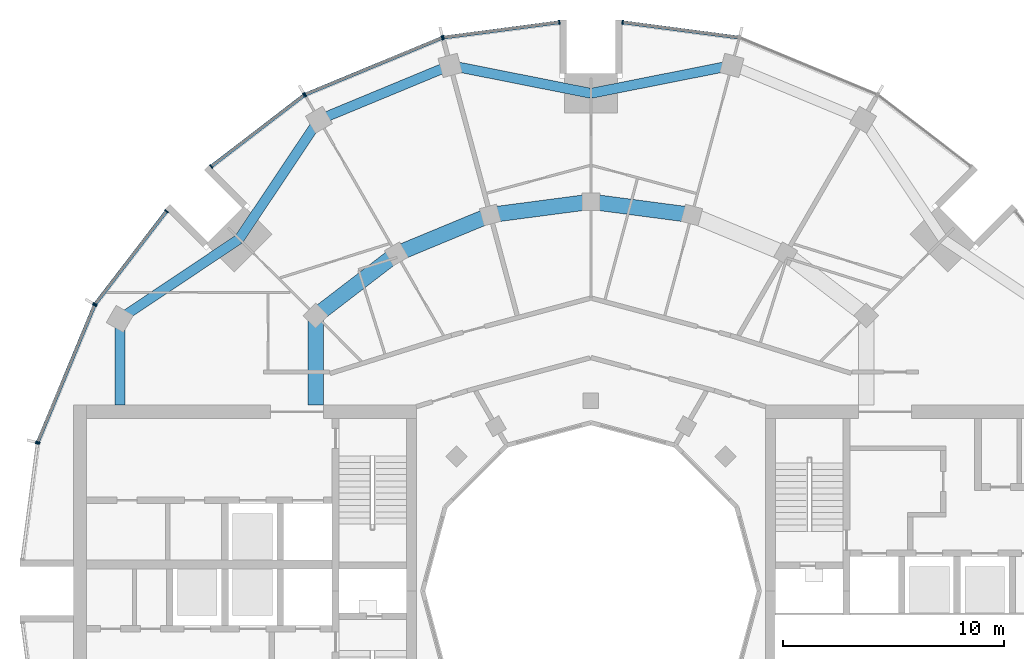
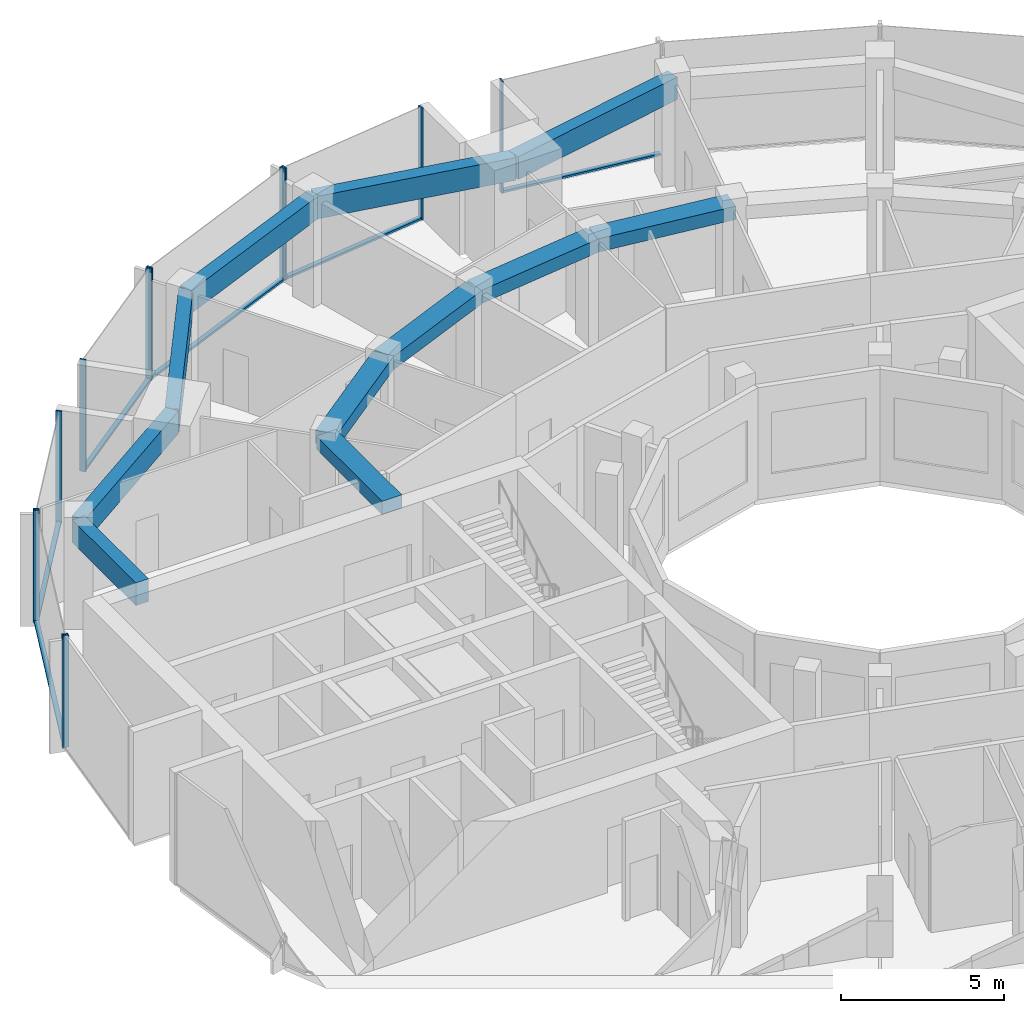
# One storey, part 5 of 15: 18 members, 11 beams, 7 elements without a shape of their own.
"""IFC4 building model written with IfcOpenShell, lengths in metres."""

from ifc_helpers import new_model, si_unit, direction, frame, origin, origin_2d, place, context, subcontext, project, spatial, rectangle, extrude, material, layer, layer_set, material_profile, profile_set, type_object, element, aggregate, save


model = new_model("IFC4")

# Units and contexts
model_context = context("Model", 3, precision=1e-05, world=origin(), true_north=direction((0.0, 1.0)))
body_context = subcontext(model_context, "Body", "Model", "MODEL_VIEW")
ifc_project = project(units=[si_unit("LENGTHUNIT", "METRE"), si_unit("AREAUNIT", "SQUARE_METRE"), si_unit("VOLUMEUNIT", "CUBIC_METRE"), si_unit("PLANEANGLEUNIT", "RADIAN"), si_unit("MASSUNIT", "GRAM", prefix="KILO")], contexts=[model_context])

# Site, building, storey
site_placement = place(None, origin())
site = spatial("IfcSite", under=ifc_project, at=site_placement, CompositionType="ELEMENT")
building_placement = place(site_placement, origin())
building = spatial("IfcBuilding", under=site, at=building_placement, Name="Torre Brocal", CompositionType="ELEMENT")
storey_placement = place(building_placement, frame((0.0, 0.0, 254.10009765625)))
storey = spatial("IfcBuildingStorey", under=building, at=storey_placement, Name="L58", CompositionType="ELEMENT", Elevation=254.10009765625)

# Curtain wall, member
ifc_material_1 = material(Name="Aluminium and glass", Category="aluminium")
ifc_layer_1 = layer(ifc_material_1, 0.199951171875)
ifc_layer_set_1 = layer_set([ifc_layer_1], Name="Aluminium and glass")
curtain_wall_type_1 = type_object("IfcCurtainWallType", Name="CW-1 CURTAIN WALL 4200 HIGH", PredefinedType="NOTDEFINED", material=ifc_layer_set_1)
curtain_wall_1_placement = place(storey_placement, origin())
curtain_wall_1 = element("IfcCurtainWall", 1, at=curtain_wall_1_placement, inside=storey, type_object=curtain_wall_type_1, Name="CW-1 RUN 6", PredefinedType="NOTDEFINED")
ifc_material_2 = material(Name="Aluminium, dark anodised", Category="aluminium")
ifc_material_profile_1 = material_profile(ifc_material_2, rectangle(XDim=0.199951171875, YDim=0.06005859375, at=origin_2d()), Name="CW-1 MULLION 60X200")
ifc_profile_set_1 = profile_set([ifc_material_profile_1], Name="Aluminium, dark anodised")
member_type_1 = type_object("IfcMemberType", Name="CW-1 MULLION 60X200", PredefinedType="MULLION", material=ifc_profile_set_1)
member_1_placement = place(storey_placement, frame((81.4296875, 100.7109375, 0.0), z_axis=(0.0, 0.0, 1.0), x_axis=(-0.13052619222, -0.991444861374, 0.0)))
member_1 = element("IfcMember", 2, at=member_1_placement, type_object=member_type_1, Name="CW1-5 mullion 2", PredefinedType="MULLION", context=body_context, shape_type="SweptSolid", body=[
    extrude(rectangle(XDim=0.199951171875, YDim=0.06005859375, at=origin_2d()), origin(), (0.0, 0.0, 1.0), 4.199951171875),
])

# Curtain wall, members
curtain_wall_2_placement = place(storey_placement, origin())
curtain_wall_2 = element("IfcCurtainWall", 3, at=curtain_wall_2_placement, inside=storey, type_object=curtain_wall_type_1, Name="CW-1 RUN 7", PredefinedType="NOTDEFINED")
member_2_placement = place(storey_placement, frame((78.5703125, 100.7109375, 0.0), z_axis=(0.0, 0.0, 1.0), x_axis=(0.13052619222, -0.991444861374, 0.0)))
member_2 = element("IfcMember", 4, at=member_2_placement, type_object=member_type_1, Name="CW1-5 mullion 1", PredefinedType="MULLION", context=body_context, shape_type="SweptSolid", body=[
    extrude(rectangle(XDim=0.199951171875, YDim=0.06005859375, at=origin_2d()), origin(), (0.0, 0.0, 1.0), 4.199951171875),
])
member_3_placement = place(storey_placement, frame((73.32666015625, 100.0205078125, 0.0), z_axis=(0.0, 0.0, 1.0), x_axis=(0.13052619222, -0.991444861374, 0.0)))
member_3 = element("IfcMember", 5, at=member_3_placement, type_object=member_type_1, Name="CW1-5 mullion 2", PredefinedType="MULLION", context=body_context, shape_type="SweptSolid", body=[
    extrude(rectangle(XDim=0.199951171875, YDim=0.06005859375, at=origin_2d()), origin(), (0.0, 0.0, 1.0), 4.199951171875),
])

curtain_wall_3_placement = place(storey_placement, origin())
curtain_wall_3 = element("IfcCurtainWall", 6, at=curtain_wall_3_placement, inside=storey, type_object=curtain_wall_type_1, Name="CW-1 RUN 8", PredefinedType="NOTDEFINED")
member_4_placement = place(storey_placement, frame((73.26904296875, 100.005126953125, 0.0), z_axis=(0.0, 0.0, 1.0), x_axis=(0.382683432333, -0.923879532525, 0.0)))
member_4 = element("IfcMember", 7, at=member_4_placement, type_object=member_type_1, Name="CW1-5 mullion 1", PredefinedType="MULLION", context=body_context, shape_type="SweptSolid", body=[
    extrude(rectangle(XDim=0.199951171875, YDim=0.06005859375, at=origin_2d()), origin(), (0.0, 0.0, 1.0), 4.199951171875),
])
member_5_placement = place(storey_placement, frame((67.078125, 97.440673828125, 0.0), z_axis=(0.0, 0.0, 1.0), x_axis=(0.382683432333, -0.923879532525, 0.0)))
member_5 = element("IfcMember", 8, at=member_5_placement, type_object=member_type_1, Name="CW1-5 mullion 2", PredefinedType="MULLION", context=body_context, shape_type="SweptSolid", body=[
    extrude(rectangle(XDim=0.199951171875, YDim=0.06005859375, at=origin_2d()), origin(), (0.0, 0.0, 1.0), 4.199951171875),
])

curtain_wall_4_placement = place(storey_placement, origin())
curtain_wall_4 = element("IfcCurtainWall", 9, at=curtain_wall_4_placement, inside=storey, type_object=curtain_wall_type_1, Name="CW-1 RUN 9", PredefinedType="NOTDEFINED")
member_6_placement = place(storey_placement, frame((67.026611328125, 97.4111328125, 0.0), z_axis=(0.0, 0.0, 1.0), x_axis=(0.60876142905, -0.793353340259, 0.0)))
member_6 = element("IfcMember", 10, at=member_6_placement, type_object=member_type_1, Name="CW1-5 mullion 1", PredefinedType="MULLION", context=body_context, shape_type="SweptSolid", body=[
    extrude(rectangle(XDim=0.199951171875, YDim=0.06005859375, at=origin_2d()), origin(), (0.0, 0.0, 1.0), 4.199951171875),
])
member_7_placement = place(storey_placement, frame((62.83056640625, 94.19140625, 0.0), z_axis=(0.0, 0.0, 1.0), x_axis=(0.60876142905, -0.793353340259, 0.0)))
member_7 = element("IfcMember", 11, at=member_7_placement, type_object=member_type_1, Name="CW1-5 mullion 2", PredefinedType="MULLION", context=body_context, shape_type="SweptSolid", body=[
    extrude(rectangle(XDim=0.199951171875, YDim=0.06005859375, at=origin_2d()), origin(), (0.0, 0.0, 1.0), 4.199951171875),
])

curtain_wall_5_placement = place(storey_placement, origin())
curtain_wall_5 = element("IfcCurtainWall", 12, at=curtain_wall_5_placement, inside=storey, type_object=curtain_wall_type_1, Name="CW-1 RUN 10", PredefinedType="NOTDEFINED")
member_8_placement = place(storey_placement, frame((60.80859375, 92.16943359375, 0.0), z_axis=(0.0, 0.0, 1.0), x_axis=(0.793353340259, -0.60876142905, 0.0)))
member_8 = element("IfcMember", 13, at=member_8_placement, type_object=member_type_1, Name="CW1-5 mullion 1", PredefinedType="MULLION", context=body_context, shape_type="SweptSolid", body=[
    extrude(rectangle(XDim=0.199951171875, YDim=0.06005859375, at=origin_2d()), origin(), (0.0, 0.0, 1.0), 4.199951171875),
])
member_9_placement = place(storey_placement, frame((57.5888671875, 87.973388671875, 0.0), z_axis=(0.0, 0.0, 1.0), x_axis=(0.793353340259, -0.60876142905, 0.0)))
member_9 = element("IfcMember", 14, at=member_9_placement, type_object=member_type_1, Name="CW1-5 mullion 2", PredefinedType="MULLION", context=body_context, shape_type="SweptSolid", body=[
    extrude(rectangle(XDim=0.199951171875, YDim=0.06005859375, at=origin_2d()), origin(), (0.0, 0.0, 1.0), 4.199951171875),
])

curtain_wall_6_placement = place(storey_placement, origin())
curtain_wall_6 = element("IfcCurtainWall", 15, at=curtain_wall_6_placement, inside=storey, type_object=curtain_wall_type_1, Name="CW-1 RUN 11", PredefinedType="NOTDEFINED")
member_10_placement = place(storey_placement, frame((57.559326171875, 87.921875, 0.0), z_axis=(0.0, 0.0, 1.0), x_axis=(0.923879532525, -0.382683432333, 0.0)))
member_10 = element("IfcMember", 16, at=member_10_placement, type_object=member_type_1, Name="CW1-5 mullion 1", PredefinedType="MULLION", context=body_context, shape_type="SweptSolid", body=[
    extrude(rectangle(XDim=0.199951171875, YDim=0.06005859375, at=origin_2d()), origin(), (0.0, 0.0, 1.0), 4.199951171875),
])
member_11_placement = place(storey_placement, frame((54.994873046875, 81.73095703125, 0.0), z_axis=(0.0, 0.0, 1.0), x_axis=(0.923879532525, -0.382683432333, 0.0)))
member_11 = element("IfcMember", 17, at=member_11_placement, type_object=member_type_1, Name="CW1-5 mullion 2", PredefinedType="MULLION", context=body_context, shape_type="SweptSolid", body=[
    extrude(rectangle(XDim=0.199951171875, YDim=0.06005859375, at=origin_2d()), origin(), (0.0, 0.0, 1.0), 4.199951171875),
])

# Member
ifc_material_3 = material(Name="Aluminium, dark anodised", Category="aluminium")
ifc_material_profile_2 = material_profile(ifc_material_3, rectangle(XDim=0.159912109375, YDim=0.080078125, at=origin_2d()), Name="CW-1 TRANSOM 160X80")
ifc_profile_set_2 = profile_set([ifc_material_profile_2], Name="Aluminium, dark anodised")
member_type_2 = type_object("IfcMemberType", Name="CW-1 TRANSOM 160X80", PredefinedType="USERDEFINED", material=ifc_profile_set_2)
member_12_placement = place(storey_placement, frame((86.643798828125, 100.0244140625, 0.039794921875), z_axis=(-0.991442690863, 0.130542677827, 0.0), x_axis=(-0.130542677827, -0.991442690863, 0.0)))
member_12 = element("IfcMember", 18, at=member_12_placement, type_object=member_type_2, Name="CW1-5 transom 1.1", ObjectType="TRANSOM", PredefinedType="USERDEFINED", context=body_context, shape_type="SweptSolid", body=[
    extrude(rectangle(XDim=0.159912109375, YDim=0.080078125, at=origin_2d()), origin(), (0.0, 0.0, 1.0), 5.22900390625),
])

aggregate(curtain_wall_1, [member_1, member_12])

member_13_placement = place(storey_placement, frame((78.54052734375, 100.70703125, 0.039794921875), z_axis=(-0.991442690863, -0.130542677827, 0.0), x_axis=(0.130542677827, -0.991442690863, 0.0)))
member_13 = element("IfcMember", 19, at=member_13_placement, type_object=member_type_2, Name="CW1-5 transom 1.1", ObjectType="TRANSOM", PredefinedType="USERDEFINED", context=body_context, shape_type="SweptSolid", body=[
    extrude(rectangle(XDim=0.159912109375, YDim=0.080078125, at=origin_2d()), origin(), (0.0, 0.0, 1.0), 5.22900390625),
])

aggregate(curtain_wall_2, [member_2, member_3, member_13])

member_14_placement = place(storey_placement, frame((73.241455078125, 99.99365234375, 0.039794921875), z_axis=(-0.923887344364, -0.38266457234, 0.0), x_axis=(0.38266457234, -0.923887344364, 0.0)))
member_14 = element("IfcMember", 20, at=member_14_placement, type_object=member_type_2, Name="CW1-5 transom 1.1", ObjectType="TRANSOM", PredefinedType="USERDEFINED", context=body_context, shape_type="SweptSolid", body=[
    extrude(rectangle(XDim=0.159912109375, YDim=0.080078125, at=origin_2d()), origin(), (0.0, 0.0, 1.0), 6.640869140625),
])

aggregate(curtain_wall_3, [member_4, member_5, member_14])

member_15_placement = place(storey_placement, frame((67.0029296875, 97.392822265625, 0.039794921875), z_axis=(-0.79336281513, -0.60874908096, 0.0), x_axis=(0.60874908096, -0.79336281513, 0.0)))
member_15 = element("IfcMember", 21, at=member_15_placement, type_object=member_type_2, Name="CW1-5 transom 1.1", ObjectType="TRANSOM", PredefinedType="USERDEFINED", context=body_context, shape_type="SweptSolid", body=[
    extrude(rectangle(XDim=0.159912109375, YDim=0.080078125, at=origin_2d()), origin(), (0.0, 0.0, 1.0), 5.22900390625),
])

aggregate(curtain_wall_4, [member_6, member_7, member_15])

member_16_placement = place(storey_placement, frame((60.790283203125, 92.1455078125, 0.039794921875), z_axis=(-0.60874908096, -0.79336281513, 0.0), x_axis=(0.79336281513, -0.60874908096, 0.0)))
member_16 = element("IfcMember", 22, at=member_16_placement, type_object=member_type_2, Name="CW1-5 transom 1.1", ObjectType="TRANSOM", PredefinedType="USERDEFINED", context=body_context, shape_type="SweptSolid", body=[
    extrude(rectangle(XDim=0.159912109375, YDim=0.080078125, at=origin_2d()), origin(), (0.0, 0.0, 1.0), 5.22900390625),
])

aggregate(curtain_wall_5, [member_8, member_9, member_16])

member_17_placement = place(storey_placement, frame((57.547607421875, 87.89404296875, 0.039794921875), z_axis=(-0.38266457234, -0.923887344364, 0.0), x_axis=(0.923887344364, -0.38266457234, 0.0)))
member_17 = element("IfcMember", 23, at=member_17_placement, type_object=member_type_2, Name="CW1-5 transom 1.1", ObjectType="TRANSOM", PredefinedType="USERDEFINED", context=body_context, shape_type="SweptSolid", body=[
    extrude(rectangle(XDim=0.159912109375, YDim=0.080078125, at=origin_2d()), origin(), (0.0, 0.0, 1.0), 6.640869140625),
])

aggregate(curtain_wall_6, [member_10, member_11, member_17])

# Curtain wall, member
ifc_material_4 = material(Name="Aluminium and glass", Category="aluminium")
ifc_layer_2 = layer(ifc_material_4, 0.199951171875)
ifc_layer_set_2 = layer_set([ifc_layer_2], Name="Aluminium and glass")
curtain_wall_type_2 = type_object("IfcCurtainWallType", Name="CW-1B CURTAIN WALL 4200 HIGH", PredefinedType="NOTDEFINED", material=ifc_layer_set_2)
curtain_wall_7_placement = place(storey_placement, origin())
curtain_wall_7 = element("IfcCurtainWall", 24, at=curtain_wall_7_placement, inside=storey, type_object=curtain_wall_type_2, Name="CW-1B RUN 12", PredefinedType="NOTDEFINED")
ifc_material_5 = material(Name="Aluminium, dark anodised", Category="aluminium")
ifc_material_profile_3 = material_profile(ifc_material_5, rectangle(XDim=0.199951171875, YDim=0.06005859375, at=origin_2d()), Name="CW-1B MULLION 60X200")
ifc_profile_set_3 = profile_set([ifc_material_profile_3], Name="Aluminium, dark anodised")
member_type_3 = type_object("IfcMemberType", Name="CW-1B MULLION 60X200", PredefinedType="MULLION", material=ifc_profile_set_3)
member_18_placement = place(storey_placement, frame((54.9794921875, 81.67333984375, 0.0), z_axis=(0.0, 0.0, 1.0), x_axis=(0.991444861374, -0.13052619222, 0.0)))
member_18 = element("IfcMember", 25, at=member_18_placement, type_object=member_type_3, Name="CW1B-5 mullion 1", PredefinedType="MULLION", context=body_context, shape_type="SweptSolid", body=[
    extrude(rectangle(XDim=0.199951171875, YDim=0.06005859375, at=origin_2d()), origin(), (0.0, 0.0, 1.0), 4.199951171875),
])
aggregate(curtain_wall_7, [member_18])

# Beams
ifc_material_6 = material(Name="Concrete C50", Category="concrete")
ifc_material_profile_4 = material_profile(ifc_material_6, rectangle(XDim=0.699951171875, YDim=0.5, at=origin_2d()), Name="RC 700X500")
ifc_profile_set_4 = profile_set([ifc_material_profile_4], Name="Concrete C50")
beam_type_1 = type_object("IfcBeamType", Name="RC BEAM 700X500 C50 TOP 3880", PredefinedType="BEAM", material=ifc_profile_set_4)
for number, where, z_axis, x_axis, name in (
    (26, (84.55517578125, 92.000244140625, 3.6298828125), (-0.991440544449, 0.130558978332, 0.0), (-0.130558978332, -0.991440544449, 0.0), "Beam BT-37"),
    (27, (80.0, 92.60009765625, 3.6298828125), (-0.991440544449, -0.130558978332, 0.0), (0.130558978332, -0.991440544449, 0.0), "Beam BT-37"),
):
    element("IfcBeam", number, at=place(storey_placement, frame(where, z_axis=z_axis, x_axis=x_axis)), inside=storey, type_object=beam_type_1, Name=name, PredefinedType="BEAM", context=body_context, shape_type="SweptSolid", body=[
        extrude(rectangle(XDim=0.699951171875, YDim=0.5, at=origin_2d()), origin(), (0.0, 0.0, 1.0), 4.594482421875),
    ])
beam_1_placement = place(storey_placement, frame((75.44482421875, 92.000244140625, 3.6298828125), z_axis=(-0.923878240166, -0.382686552348, 0.0), x_axis=(0.382686552348, -0.923878240166, 0.0)))
element("IfcBeam", 28, at=beam_1_placement, inside=storey, type_object=beam_type_1, Name="Beam BT-37", PredefinedType="BEAM", context=body_context, shape_type="SweptSolid", body=[
    extrude(rectangle(XDim=0.699951171875, YDim=0.5, at=origin_2d()), origin(), (0.0, 0.0, 1.0), 4.5947265625),
])
beam_2_placement = place(storey_placement, frame((71.199951171875, 90.241943359375, 3.6298828125), z_axis=(-0.793358265959, -0.6087550097, 0.0), x_axis=(0.6087550097, -0.793358265959, 0.0)))
element("IfcBeam", 29, at=beam_2_placement, inside=storey, type_object=beam_type_1, Name="Beam BT-37", PredefinedType="BEAM", context=body_context, shape_type="SweptSolid", body=[
    extrude(rectangle(XDim=0.699951171875, YDim=0.5, at=origin_2d()), origin(), (0.0, 0.0, 1.0), 4.594482421875),
])
beam_3_placement = place(storey_placement, frame((67.554931640625, 87.445068359375, 3.6298828125), z_axis=(0.0, -1.0, 0.0), x_axis=(1.0, 0.0, 0.0)))
element("IfcBeam", 30, at=beam_3_placement, inside=storey, type_object=beam_type_1, Name="Beam BT-37", PredefinedType="BEAM", context=body_context, shape_type="SweptSolid", body=[
    extrude(rectangle(XDim=0.699951171875, YDim=0.5, at=origin_2d()), origin(), (0.0, 0.0, 1.0), 4.045166015625),
])
ifc_material_7 = material(Name="Concrete C50", Category="concrete")
ifc_material_profile_5 = material_profile(ifc_material_7, rectangle(XDim=0.449951171875, YDim=0.85009765625, at=origin_2d()), Name="RC 450X850")
ifc_profile_set_5 = profile_set([ifc_material_profile_5], Name="Concrete C50")
beam_type_2 = type_object("IfcBeamType", Name="RC SPANDREL BEAM 450X850 C50 TOP 3880", PredefinedType="SPANDREL", material=ifc_profile_set_5)
for number, where, z_axis, x_axis, name in (
    (31, (86.366943359375, 98.76171875, 3.454833984375), (-0.980924907484, -0.194387051723, 0.0), (0.194387051723, -0.980924907484, 0.0), "Beam BT-38"),
    (32, (80.0, 97.5, 3.454833984375), (-0.980924907484, 0.194387051723, 0.0), (-0.194387051723, -0.980924907484, 0.0), "Beam BT-38"),
):
    element("IfcBeam", number, at=place(storey_placement, frame(where, z_axis=z_axis, x_axis=x_axis)), inside=storey, type_object=beam_type_2, Name=name, PredefinedType="SPANDREL", context=body_context, shape_type="SweptSolid", body=[
        extrude(rectangle(XDim=0.449951171875, YDim=0.85009765625, at=origin_2d()), origin(), (0.0, 0.0, 1.0), 6.49072265625),
    ])
beam_4_placement = place(storey_placement, frame((73.633056640625, 98.76171875, 3.454833984375), z_axis=(-0.923882462513, -0.382676358639, 0.0), x_axis=(0.382676358639, -0.923882462513, 0.0)))
element("IfcBeam", 33, at=beam_4_placement, inside=storey, type_object=beam_type_2, Name="Beam BT-38", PredefinedType="SPANDREL", context=body_context, shape_type="SweptSolid", body=[
    extrude(rectangle(XDim=0.449951171875, YDim=0.85009765625, at=origin_2d()), origin(), (0.0, 0.0, 1.0), 6.421875),
])
for number, where, z_axis, x_axis, name in (
    (34, (67.699951171875, 96.30419921875, 3.454833984375), (-0.556157602282, -0.831076844476, 0.0), (0.831076844476, -0.556157602282, 0.0), "Beam BT-38"),
    (35, (64.090087890625, 90.909912109375, 3.454833984375), (-0.831076844476, -0.556157602282, 0.0), (0.556157602282, -0.831076844476, 0.0), "Beam BT-38"),
):
    element("IfcBeam", number, at=place(storey_placement, frame(where, z_axis=z_axis, x_axis=x_axis)), inside=storey, type_object=beam_type_2, Name=name, PredefinedType="SPANDREL", context=body_context, shape_type="SweptSolid", body=[
        extrude(rectangle(XDim=0.449951171875, YDim=0.85009765625, at=origin_2d()), origin(), (0.0, 0.0, 1.0), 6.49072265625),
    ])
beam_5_placement = place(storey_placement, frame((58.69580078125, 87.300048828125, 3.454833984375), z_axis=(0.0, -1.0, 0.0), x_axis=(1.0, 0.0, 0.0)))
element("IfcBeam", 36, at=beam_5_placement, inside=storey, type_object=beam_type_2, Name="Beam BT-38", PredefinedType="SPANDREL", context=body_context, shape_type="SweptSolid", body=[
    extrude(rectangle(XDim=0.449951171875, YDim=0.85009765625, at=origin_2d()), origin(), (0.0, 0.0, 1.0), 3.900146484375),
])

save(model, "model.ifc")
